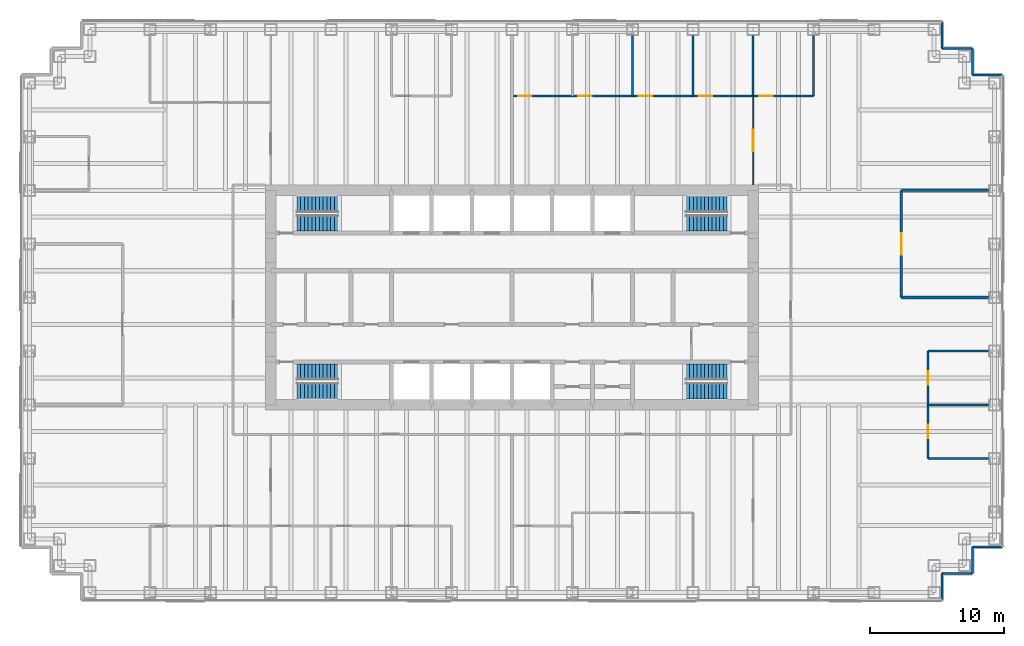
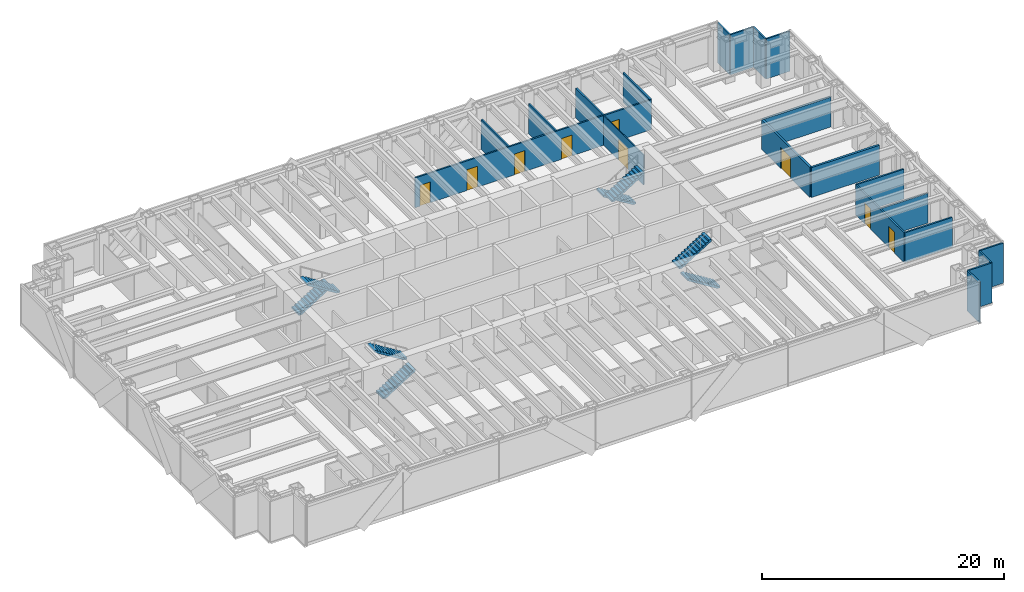
# One storey, part 14 of 15: 21 walls, 9 doors, 8 stair flights, 9 openings, 4 elements without a shape of their own.
"""IFC4 building model written with IfcOpenShell, lengths in metres."""

import ifcopenshell
import ifcopenshell.guid

model = None  # the IFC model being written
_history = None  # IfcOwnerHistory: only IFC2X3 demands one
_inside = {}  # id of a spatial element -> (the spatial element, [elements in it])
_under = {}  # id of a project, library or spatial element -> (it, [spatial elements below it])
_declared = {}  # id of a project -> (the project, [libraries it declares])
_typed = {}  # id of a type object -> (the type object, [elements of that type])
_made_of = {}  # id of a material, layer set ... -> (it, [elements and type objects made of it])


def new_model(schema):
    """Start an empty IFC model of exactly this schema.

    Asked for "IFC4X3", IfcOpenShell would pick the latest addendum, in which some entities
    have other attributes; the version numbers below select the first issue.
    IFC2X3 requires an IfcOwnerHistory on every rooted entity: one is made here for all.
    """
    global model, _history
    if schema == "IFC4X3":
        model = ifcopenshell.file(schema_version=(4, 3, 0, 0))
    else:
        model = ifcopenshell.file(schema=schema)
    _inside.clear()
    _under.clear()
    _declared.clear()
    _typed.clear()
    _made_of.clear()
    _history = None
    if model.schema == "IFC2X3":
        org = make("IfcOrganization", Name="unknown")
        user = make(
            "IfcPersonAndOrganization",
            ThePerson=make("IfcPerson", FamilyName="unknown"),
            TheOrganization=org,
        )
        app = make(
            "IfcApplication",
            ApplicationDeveloper=org,
            Version="unknown",
            ApplicationFullName="unknown",
            ApplicationIdentifier="unknown",
        )
        _history = make(
            "IfcOwnerHistory",
            OwningUser=user,
            OwningApplication=app,
            ChangeAction="ADDED",
            CreationDate=0,
        )
    return model


def make(cls, **values):
    """One entity of the class cls with the attributes given. An attribute that is None is left unset."""
    return model.create_entity(
        cls, **{name: value for name, value in values.items() if value is not None}
    )


def rooted(cls, **values):
    """An entity with a GlobalId (a new one), such as an element, a storey or a relation."""
    return make(cls, GlobalId=ifcopenshell.guid.new(), OwnerHistory=_history, **values)


def si_unit(unit_type, name, prefix=None):
    """IfcSIUnit, for example si_unit("LENGTHUNIT", "METRE", prefix="MILLI")."""
    return make("IfcSIUnit", UnitType=unit_type, Prefix=prefix, Name=name)


def assignment(units):
    """IfcUnitAssignment: the units of a project."""
    return None if units is None else make("IfcUnitAssignment", Units=units)


def point(xyz):
    """IfcCartesianPoint."""
    return None if xyz is None else make("IfcCartesianPoint", Coordinates=xyz)


def direction(xyz):
    """IfcDirection."""
    return None if xyz is None else make("IfcDirection", DirectionRatios=xyz)


def frame(location, z_axis=None, x_axis=None):
    """IfcAxis2Placement3D, a coordinate frame: its origin and axes. An axis left out is left unset."""
    return make(
        "IfcAxis2Placement3D",
        Location=point(location),
        Axis=direction(z_axis),
        RefDirection=direction(x_axis),
    )


def frame_2d(location, x_axis=None):
    """IfcAxis2Placement2D, a coordinate frame in the plane: its origin and x axis."""
    return make(
        "IfcAxis2Placement2D", Location=point(location), RefDirection=direction(x_axis)
    )


def origin():
    """The frame at (0, 0, 0) with its axes left unset."""
    return frame((0.0, 0.0, 0.0))


def place(relative_to, where):
    """IfcLocalPlacement: puts the frame where relative to a parent placement (None: the world)."""
    return make(
        "IfcLocalPlacement", PlacementRelTo=relative_to, RelativePlacement=where
    )


def context(
    kind, dimensions, precision=None, world=None, true_north=None, identifier=None
):
    """IfcGeometricRepresentationContext, for example the 3D "Model" context."""
    return make(
        "IfcGeometricRepresentationContext",
        ContextIdentifier=identifier,
        ContextType=kind,
        CoordinateSpaceDimension=dimensions,
        Precision=precision,
        WorldCoordinateSystem=world,
        TrueNorth=true_north,
    )


def subcontext(parent, identifier, kind, view, scale=None):
    """IfcGeometricRepresentationSubContext, for example "Body" below "Model"."""
    return make(
        "IfcGeometricRepresentationSubContext",
        ContextIdentifier=identifier,
        ContextType=kind,
        ParentContext=parent,
        TargetScale=scale,
        TargetView=view,
    )


def project(units=None, contexts=None):
    """IfcProject with its units and contexts."""
    return rooted(
        "IfcProject",
        Name="project",
        RepresentationContexts=contexts,
        UnitsInContext=assignment(units),
    )


def spatial(cls, under=None, at=None, **own):
    """A site, building, storey or space (cls), placed at a placement, below another one or the project."""
    s = rooted(cls, ObjectPlacement=at, **own)
    if under is not None:
        _under.setdefault(under.id(), (under, []))[1].append(s)
    return s


def polyline(points):
    """IfcPolyline through the points."""
    return make("IfcPolyline", Points=[point(p) for p in points])


def profile(cls, at=None, kind="AREA", **sizes):
    """A parametric profile (cls). Its sizes go by their IFC names, for example OverallWidth=200.0."""
    return make(cls, ProfileType=kind, Position=at, **sizes)


def rectangle(**sizes):
    """IfcRectangleProfileDef."""
    return profile("IfcRectangleProfileDef", **sizes)


def outline(outer, holes=None, kind="AREA"):
    """IfcArbitraryClosedProfileDef: a profile drawn as a closed curve; with holes, ...WithVoids."""
    if holes is None:
        return make("IfcArbitraryClosedProfileDef", ProfileType=kind, OuterCurve=outer)
    return make(
        "IfcArbitraryProfileDefWithVoids",
        ProfileType=kind,
        OuterCurve=outer,
        InnerCurves=holes,
    )


def extrude(swept, where, along, depth):
    """IfcExtrudedAreaSolid: the profile swept, set in the frame where, extruded along a direction by depth."""
    return make(
        "IfcExtrudedAreaSolid",
        SweptArea=swept,
        Position=where,
        ExtrudedDirection=direction(along),
        Depth=depth,
    )


def shape(context_of_items, identifier, shape_type, items):
    """IfcShapeRepresentation: the items that make up one representation, for example the "Body"."""
    return make(
        "IfcShapeRepresentation",
        ContextOfItems=context_of_items,
        RepresentationIdentifier=identifier,
        RepresentationType=shape_type,
        Items=items,
    )


def material(Name=None, Category=None):
    """IfcMaterial."""
    return make("IfcMaterial", Name=Name, Category=Category)


def layer(
    of_material, thickness, ventilated=None, Name=None, Category=None, Priority=None
):
    """IfcMaterialLayer: one layer of a wall or slab, of a material (None: an air gap)."""
    return make(
        "IfcMaterialLayer",
        Material=of_material,
        LayerThickness=thickness,
        IsVentilated=ventilated,
        Name=Name,
        Category=Category,
        Priority=Priority,
    )


def layer_set(layers, Name=None):
    """IfcMaterialLayerSet."""
    return make("IfcMaterialLayerSet", MaterialLayers=layers, LayerSetName=Name)


def made_of(thing, what):
    """Note that an element or type object is made of a material, layer set ...; save() writes the relation."""
    if what is not None:
        _made_of.setdefault(what.id(), (what, []))[1].append(thing)
    return thing


def type_object(cls, material=None, **own):
    """A type object (cls), such as IfcWallType, which elements share."""
    return made_of(rooted(cls, **own), material)


def element(
    cls,
    number,
    at=None,
    inside=None,
    cuts=None,
    type_object=None,
    material=None,
    context=None,
    identifier="Body",
    shape_type=None,
    held_by="IfcProductDefinitionShape",
    body=None,
    shapes=None,
    **own,
):
    """One element of the class cls, such as IfcWall. Its Tag is "e" and its number.

    at: its placement. inside: the storey or other place that contains it. cuts: it is an
    opening in that element (IfcRelVoidsElement). A single representation is given by context,
    identifier, shape_type and body (its items); several are given by shapes. held_by: the class
    of the entity that holds the representations. save() writes the other relations.
    """
    e = rooted(cls, Tag="e%d" % number, ObjectPlacement=at, **own)
    if body is not None:
        shapes = [shape(context, identifier, shape_type, body)]
    if shapes is not None:
        e.Representation = make(held_by, Representations=shapes)
    if inside is not None:
        _inside.setdefault(inside.id(), (inside, []))[1].append(e)
    if cuts is not None:
        rooted(
            "IfcRelVoidsElement", RelatingBuildingElement=cuts, RelatedOpeningElement=e
        )
    if type_object is not None:
        _typed.setdefault(type_object.id(), (type_object, []))[1].append(e)
    return made_of(e, material)


def fill(opening, filler):
    """IfcRelFillsElement: the door or window that sits in an opening."""
    return rooted(
        "IfcRelFillsElement",
        RelatingOpeningElement=opening,
        RelatedBuildingElement=filler,
    )


def aggregate(whole, parts):
    """IfcRelAggregates: a whole, such as a stair, and the parts it consists of."""
    return rooted("IfcRelAggregates", RelatingObject=whole, RelatedObjects=parts)


def save(model, path):
    """Write the relations noted so far, then the file.

    IfcRelAggregates (storeys below a building ...), IfcRelContainedInSpatialStructure (elements
    in a storey), IfcRelDefinesByType, IfcRelAssociatesMaterial and IfcRelDeclares: one each for
    every whole, place, type object, material and project.
    """
    for whole, parts in _under.values():
        aggregate(whole, parts)
    for where, things in _inside.values():
        rooted(
            "IfcRelContainedInSpatialStructure",
            RelatedElements=things,
            RelatingStructure=where,
        )
    for kind, things in _typed.values():
        rooted("IfcRelDefinesByType", RelatedObjects=things, RelatingType=kind)
    for what, things in _made_of.values():
        rooted("IfcRelAssociatesMaterial", RelatedObjects=things, RelatingMaterial=what)
    for by, libraries in _declared.values():
        rooted("IfcRelDeclares", RelatingContext=by, RelatedDefinitions=libraries)
    model.write(path)


model = new_model("IFC4")

# Units and contexts
model_context = context("Model", 3, precision=1e-05, world=origin(), true_north=direction((0.0, 1.0)))
body_context = subcontext(model_context, "Body", "Model", "MODEL_VIEW")
ifc_project = project(units=[si_unit("LENGTHUNIT", "METRE"), si_unit("AREAUNIT", "SQUARE_METRE"), si_unit("VOLUMEUNIT", "CUBIC_METRE"), si_unit("PLANEANGLEUNIT", "RADIAN"), si_unit("MASSUNIT", "GRAM", prefix="KILO")], contexts=[model_context])

# Site, building, storey
site_placement = place(None, origin())
site = spatial("IfcSite", under=ifc_project, at=site_placement, CompositionType="ELEMENT")
building_placement = place(site_placement, origin())
building = spatial("IfcBuilding", under=site, at=building_placement, Name="Rheinbord Bourse Tower", CompositionType="ELEMENT")
storey_placement = place(building_placement, frame((0.0, 0.0, 248.800048828125)))
storey = spatial("IfcBuildingStorey", under=building, at=storey_placement, Name="L56", CompositionType="ELEMENT", Elevation=248.800048828125)

# Walls
ifc_material_1 = material(Name="Acoustic gypsum board partition", Category="gypsum board")
ifc_layer_1 = layer(ifc_material_1, 0.199951171875)
ifc_layer_set_1 = layer_set([ifc_layer_1], Name="ACOUSTIC PARTITION 200")
wall_type_1 = type_object("IfcWallType", Name="ACOUSTIC PARTITION 200", PredefinedType="PARTITIONING", material=ifc_layer_set_1)
for number, where, z_axis, x_axis, name in (
    (1, (65.050048828125, 24.0, 0.0), (0.0, 0.0, 1.0), (1.0, 0.0, 0.0), "Partition L56-09"),
    (2, (65.050048828125, 32.0, 0.0), (0.0, 0.0, 1.0), (1.0, 0.0, 0.0), "Partition L56-12"),
):
    element("IfcWall", number, at=place(storey_placement, frame(where, z_axis=z_axis, x_axis=x_axis)), inside=storey, type_object=wall_type_1, Name=name, PredefinedType="PARTITIONING", context=body_context, shape_type="SweptSolid", body=[
        extrude(rectangle(XDim=6.5, YDim=0.199951171875, at=frame_2d((3.25, 0.0))), origin(), (0.0, 0.0, 1.0), 3.0),
    ])

# Wall, opening, door
wall_1_placement = place(storey_placement, frame((65.050048828125, 24.0, 0.0), z_axis=(0.0, 0.0, 1.0), x_axis=(0.0, 1.0, 0.0)))
wall_1 = element("IfcWall", 3, at=wall_1_placement, inside=storey, type_object=wall_type_1, Name="Partition L56-46", PredefinedType="PARTITIONING", context=body_context, shape_type="SweptSolid", body=[
    extrude(rectangle(XDim=8.0, YDim=0.199951171875, at=frame_2d((4.0, 0.0))), origin(), (0.0, 0.0, 1.0), 3.0),
])
opening_1_placement = place(wall_1_placement, frame((3.199951171875, 0.0, 0.0)))
opening_1 = element("IfcOpeningElement", 4, at=opening_1_placement, cuts=wall_1, Name="Opening 56D11", PredefinedType="OPENING", context=body_context, shape_type="SweptSolid", body=[
    extrude(rectangle(XDim=1.60009765625, YDim=2.10009765625, at=frame_2d((0.800048828125, 1.050048828125))), frame((0.0, 0.10986328125, 0.0), z_axis=(0.0, -1.0, 0.0), x_axis=(1.0, 0.0, 0.0)), (0.0, 0.0, 1.0), 0.219970703125),
])
ifc_material_2 = material(Name="Timber door", Category="wood")
door_type_1 = type_object("IfcDoorType", Name="DOUBLE ROOM DOOR 1600", OperationType="DOUBLE_DOOR_DOUBLE_SWING", PredefinedType="DOOR", material=ifc_material_2)
door_1_placement = place(opening_1_placement, origin())
door_1 = element("IfcDoor", 5, at=door_1_placement, inside=storey, type_object=door_type_1, Name="Board room door L56", OperationType="SINGLE_SWING_LEFT", OverallHeight=2.10009765625, OverallWidth=1.60009765625, PredefinedType="DOOR", context=body_context, shape_type="SweptSolid", body=[
    extrude(rectangle(XDim=1.60009765625, YDim=2.10009765625, at=frame_2d((0.800048828125, 1.050048828125))), frame((0.0, 0.02490234375, 0.0), z_axis=(0.0, -1.0, 0.0), x_axis=(1.0, 0.0, 0.0)), (0.0, 0.0, 1.0), 0.050048828125),
])
fill(opening_1, door_1)

# Walls
ifc_material_3 = material(Name="Black metal rainscreen panel", Category="aluminium")
ifc_layer_2 = layer(ifc_material_3, 0.14990234375)
ifc_layer_set_2 = layer_set([ifc_layer_2], Name="CORNER PIER CLADDING 150")
wall_type_2 = type_object("IfcWallType", Name="CORNER PIER CLADDING 150", PredefinedType="ELEMENTEDWALL", material=ifc_layer_set_2)
wall_2_placement = place(storey_placement, frame((68.10009765625, 1.39990234375, 0.0), z_axis=(0.0, 0.0, 1.0), x_axis=(0.0, 1.0, 0.0)))
element("IfcWall", 6, at=wall_2_placement, inside=storey, type_object=wall_type_2, Name="Corner pier cladding L56 2", PredefinedType="ELEMENTEDWALL", context=body_context, shape_type="SweptSolid", body=[
    extrude(rectangle(XDim=2.0, YDim=0.14990234375, at=frame_2d((1.0, 0.0))), origin(), (0.0, 0.0, 1.0), 4.0400390625),
])
wall_3_placement = place(storey_placement, frame((68.10009765625, 3.39990234375, 0.0), z_axis=(0.0, 0.0, 1.0), x_axis=(1.0, 0.0, 0.0)))
element("IfcWall", 7, at=wall_3_placement, inside=storey, type_object=wall_type_2, Name="Corner pier cladding L56 3", PredefinedType="ELEMENTEDWALL", context=body_context, shape_type="SweptSolid", body=[
    extrude(rectangle(XDim=2.25, YDim=0.14990234375, at=frame_2d((1.125, 0.0))), origin(), (0.0, 0.0, 1.0), 4.0400390625),
])
wall_4_placement = place(storey_placement, frame((70.35009765625, 3.39990234375, 0.0), z_axis=(0.0, 0.0, 1.0), x_axis=(0.0, 1.0, 0.0)))
element("IfcWall", 8, at=wall_4_placement, inside=storey, type_object=wall_type_2, Name="Corner pier cladding L56 4", PredefinedType="ELEMENTEDWALL", context=body_context, shape_type="SweptSolid", body=[
    extrude(rectangle(XDim=2.0, YDim=0.14990234375, at=frame_2d((1.0, 0.0))), origin(), (0.0, 0.0, 1.0), 4.0400390625),
])
for number, where, z_axis, x_axis, name in (
    (9, (70.35009765625, 5.39990234375, 0.0), (0.0, 0.0, 1.0), (1.0, 0.0, 0.0), "Corner pier cladding L56 5"),
    (10, (72.60009765625, 40.60009765625, 0.0), (0.0, 0.0, 1.0), (-1.0, 0.0, 0.0), "Corner pier cladding L56 7"),
):
    element("IfcWall", number, at=place(storey_placement, frame(where, z_axis=z_axis, x_axis=x_axis)), inside=storey, type_object=wall_type_2, Name=name, PredefinedType="ELEMENTEDWALL", context=body_context, shape_type="SweptSolid", body=[
        extrude(rectangle(XDim=2.25, YDim=0.14990234375, at=frame_2d((1.125, 0.0))), origin(), (0.0, 0.0, 1.0), 4.0400390625),
    ])
wall_5_placement = place(storey_placement, frame((70.35009765625, 40.60009765625, 0.0), z_axis=(0.0, 0.0, 1.0), x_axis=(0.0, 1.0, 0.0)))
element("IfcWall", 11, at=wall_5_placement, inside=storey, type_object=wall_type_2, Name="Corner pier cladding L56 8", PredefinedType="ELEMENTEDWALL", context=body_context, shape_type="SweptSolid", body=[
    extrude(rectangle(XDim=2.0, YDim=0.14990234375, at=frame_2d((1.0, 0.0))), origin(), (0.0, 0.0, 1.0), 4.0400390625),
])
wall_6_placement = place(storey_placement, frame((70.35009765625, 42.60009765625, 0.0), z_axis=(0.0, 0.0, 1.0), x_axis=(-1.0, 0.0, 0.0)))
element("IfcWall", 12, at=wall_6_placement, inside=storey, type_object=wall_type_2, Name="Corner pier cladding L56 9", PredefinedType="ELEMENTEDWALL", context=body_context, shape_type="SweptSolid", body=[
    extrude(rectangle(XDim=2.25, YDim=0.14990234375, at=frame_2d((1.125, 0.0))), origin(), (0.0, 0.0, 1.0), 4.0400390625),
])
wall_7_placement = place(storey_placement, frame((68.10009765625, 42.60009765625, 0.0), z_axis=(0.0, 0.0, 1.0), x_axis=(0.0, 1.0, 0.0)))
element("IfcWall", 13, at=wall_7_placement, inside=storey, type_object=wall_type_2, Name="Corner pier cladding L56 10", PredefinedType="ELEMENTEDWALL", context=body_context, shape_type="SweptSolid", body=[
    extrude(rectangle(XDim=2.0, YDim=0.14990234375, at=frame_2d((1.0, 0.0))), origin(), (0.0, 0.0, 1.0), 4.0400390625),
])

# Wall, opening, door
ifc_material_4 = material(Name="Toughened laminated glass partition", Category="glass")
ifc_layer_3 = layer(ifc_material_4, 0.10009765625)
ifc_layer_set_3 = layer_set([ifc_layer_3], Name="GLAZED PARTITION 100")
wall_type_3 = type_object("IfcWallType", Name="GLAZED PARTITION 100", PredefinedType="PARTITIONING", material=ifc_layer_set_3)
wall_8_placement = place(storey_placement, frame((54.0, 32.39990234375, 0.0), z_axis=(0.0, 0.0, 1.0), x_axis=(0.0, 1.0, 0.0)))
wall_8 = element("IfcWall", 14, at=wall_8_placement, inside=storey, type_object=wall_type_3, Name="Partition L56-42", PredefinedType="PARTITIONING", context=body_context, shape_type="SweptSolid", body=[
    extrude(rectangle(XDim=6.650146484375, YDim=0.10009765625, at=frame_2d((3.3251953125, 0.0))), origin(), (0.0, 0.0, 1.0), 3.0),
])
opening_2_placement = place(wall_8_placement, frame((2.52490234375, 0.0, 0.0)))
opening_2 = element("IfcOpeningElement", 15, at=opening_2_placement, cuts=wall_8, Name="Opening 56D23", PredefinedType="OPENING", context=body_context, shape_type="SweptSolid", body=[
    extrude(rectangle(XDim=1.60009765625, YDim=2.10009765625, at=frame_2d((0.800048828125, 1.050048828125))), frame((0.0, 0.06005859375, 0.0), z_axis=(0.0, -1.0, 0.0), x_axis=(1.0, 0.0, 0.0)), (0.0, 0.0, 1.0), 0.1201171875),
])
door_2_placement = place(opening_2_placement, origin())
door_2 = element("IfcDoor", 16, at=door_2_placement, inside=storey, type_object=door_type_1, Name="Open area door L56", OperationType="SINGLE_SWING_LEFT", OverallHeight=2.10009765625, OverallWidth=1.60009765625, PredefinedType="DOOR", context=body_context, shape_type="SweptSolid", body=[
    extrude(rectangle(XDim=1.60009765625, YDim=2.10009765625, at=frame_2d((0.800048828125, 1.050048828125))), frame((0.0, 0.02490234375, 0.0), z_axis=(0.0, -1.0, 0.0), x_axis=(1.0, 0.0, 0.0)), (0.0, 0.0, 1.0), 0.050048828125),
])
fill(opening_2, door_2)

# Walls
ifc_material_5 = material(Name="Gypsum board partition", Category="gypsum board")
ifc_layer_4 = layer(ifc_material_5, 0.14990234375)
ifc_layer_set_4 = layer_set([ifc_layer_4], Name="PARTITION 150")
wall_type_4 = type_object("IfcWallType", Name="PARTITION 150", PredefinedType="PARTITIONING", material=ifc_layer_set_4)
for number, where, z_axis, x_axis, name in (
    (17, (67.050048828125, 12.0, 0.0), (0.0, 0.0, 1.0), (1.0, 0.0, 0.0), "Partition L56-04"),
    (18, (67.050048828125, 16.0, 0.0), (0.0, 0.0, 1.0), (1.0, 0.0, 0.0), "Partition L56-07"),
    (19, (67.050048828125, 20.0, 0.0), (0.0, 0.0, 1.0), (1.0, 0.0, 0.0), "Partition L56-08"),
):
    element("IfcWall", number, at=place(storey_placement, frame(where, z_axis=z_axis, x_axis=x_axis)), inside=storey, type_object=wall_type_4, Name=name, PredefinedType="PARTITIONING", context=body_context, shape_type="SweptSolid", body=[
        extrude(rectangle(XDim=4.5, YDim=0.14990234375, at=frame_2d((2.25, 0.0))), origin(), (0.0, 0.0, 1.0), 3.0),
    ])

# Wall, openings, doors
wall_9_placement = place(storey_placement, frame((36.0, 39.050048828125, 0.0), z_axis=(0.0, 0.0, 1.0), x_axis=(1.0, 0.0, 0.0)))
wall_9 = element("IfcWall", 20, at=wall_9_placement, inside=storey, type_object=wall_type_4, Name="Partition L56-18", PredefinedType="PARTITIONING", context=body_context, shape_type="SweptSolid", body=[
    extrude(rectangle(XDim=22.5, YDim=0.14990234375, at=frame_2d((11.25, 0.0))), origin(), (0.0, 0.0, 1.0), 3.0),
])
opening_3_placement = place(wall_9_placement, frame((0.449951171875, 0.0, 0.0)))
opening_3 = element("IfcOpeningElement", 21, at=opening_3_placement, cuts=wall_9, Name="Opening 56D15", PredefinedType="OPENING", context=body_context, shape_type="SweptSolid", body=[
    extrude(rectangle(XDim=1.0, YDim=2.10009765625, at=frame_2d((0.5, 1.050048828125))), frame((0.0, 0.0849609375, 0.0), z_axis=(0.0, -1.0, 0.0), x_axis=(1.0, 0.0, 0.0)), (0.0, 0.0, 1.0), 0.169921875),
])
opening_4_placement = place(wall_9_placement, frame((4.949951171875, 0.0, 0.0)))
opening_4 = element("IfcOpeningElement", 22, at=opening_4_placement, cuts=wall_9, Name="Opening 56D16", PredefinedType="OPENING", context=body_context, shape_type="SweptSolid", body=[
    extrude(rectangle(XDim=1.0, YDim=2.10009765625, at=frame_2d((0.5, 1.050048828125))), frame((0.0, 0.0849609375, 0.0), z_axis=(0.0, -1.0, 0.0), x_axis=(1.0, 0.0, 0.0)), (0.0, 0.0, 1.0), 0.169921875),
])
opening_5_placement = place(wall_9_placement, frame((9.449951171875, 0.0, 0.0)))
opening_5 = element("IfcOpeningElement", 23, at=opening_5_placement, cuts=wall_9, Name="Opening 56D17", PredefinedType="OPENING", context=body_context, shape_type="SweptSolid", body=[
    extrude(rectangle(XDim=1.0, YDim=2.10009765625, at=frame_2d((0.5, 1.050048828125))), frame((0.0, 0.0849609375, 0.0), z_axis=(0.0, -1.0, 0.0), x_axis=(1.0, 0.0, 0.0)), (0.0, 0.0, 1.0), 0.169921875),
])
opening_6_placement = place(wall_9_placement, frame((13.949951171875, 0.0, 0.0)))
opening_6 = element("IfcOpeningElement", 24, at=opening_6_placement, cuts=wall_9, Name="Opening 56D18", PredefinedType="OPENING", context=body_context, shape_type="SweptSolid", body=[
    extrude(rectangle(XDim=1.0, YDim=2.10009765625, at=frame_2d((0.5, 1.050048828125))), frame((0.0, 0.0849609375, 0.0), z_axis=(0.0, -1.0, 0.0), x_axis=(1.0, 0.0, 0.0)), (0.0, 0.0, 1.0), 0.169921875),
])
opening_7_placement = place(wall_9_placement, frame((18.449951171875, 0.0, 0.0)))
opening_7 = element("IfcOpeningElement", 25, at=opening_7_placement, cuts=wall_9, Name="Opening 56D19", PredefinedType="OPENING", context=body_context, shape_type="SweptSolid", body=[
    extrude(rectangle(XDim=1.0, YDim=2.10009765625, at=frame_2d((0.5, 1.050048828125))), frame((0.0, 0.0849609375, 0.0), z_axis=(0.0, -1.0, 0.0), x_axis=(1.0, 0.0, 0.0)), (0.0, 0.0, 1.0), 0.169921875),
])
ifc_material_6 = material(Name="Timber door", Category="wood")
door_type_2 = type_object("IfcDoorType", Name="ROOM DOOR 1000", OperationType="SINGLE_SWING_LEFT", PredefinedType="DOOR", material=ifc_material_6)
door_3_placement = place(opening_3_placement, origin())
door_3 = element("IfcDoor", 26, at=door_3_placement, inside=storey, type_object=door_type_2, Name="Office door L56", OperationType="SINGLE_SWING_LEFT", OverallHeight=2.10009765625, OverallWidth=1.0, PredefinedType="DOOR", context=body_context, shape_type="SweptSolid", body=[
    extrude(rectangle(XDim=1.0, YDim=2.10009765625, at=frame_2d((0.5, 1.050048828125))), frame((0.0, 0.02490234375, 0.0), z_axis=(0.0, -1.0, 0.0), x_axis=(1.0, 0.0, 0.0)), (0.0, 0.0, 1.0), 0.050048828125),
])
fill(opening_3, door_3)
door_4_placement = place(opening_4_placement, origin())
door_4 = element("IfcDoor", 27, at=door_4_placement, inside=storey, type_object=door_type_2, Name="Office door L56", OperationType="SINGLE_SWING_LEFT", OverallHeight=2.10009765625, OverallWidth=1.0, PredefinedType="DOOR", context=body_context, shape_type="SweptSolid", body=[
    extrude(rectangle(XDim=1.0, YDim=2.10009765625, at=frame_2d((0.5, 1.050048828125))), frame((0.0, 0.02490234375, 0.0), z_axis=(0.0, -1.0, 0.0), x_axis=(1.0, 0.0, 0.0)), (0.0, 0.0, 1.0), 0.050048828125),
])
fill(opening_4, door_4)
door_5_placement = place(opening_5_placement, origin())
door_5 = element("IfcDoor", 28, at=door_5_placement, inside=storey, type_object=door_type_2, Name="Office door L56", OperationType="SINGLE_SWING_LEFT", OverallHeight=2.10009765625, OverallWidth=1.0, PredefinedType="DOOR", context=body_context, shape_type="SweptSolid", body=[
    extrude(rectangle(XDim=1.0, YDim=2.10009765625, at=frame_2d((0.5, 1.050048828125))), frame((0.0, 0.02490234375, 0.0), z_axis=(0.0, -1.0, 0.0), x_axis=(1.0, 0.0, 0.0)), (0.0, 0.0, 1.0), 0.050048828125),
])
fill(opening_5, door_5)
door_6_placement = place(opening_6_placement, origin())
door_6 = element("IfcDoor", 29, at=door_6_placement, inside=storey, type_object=door_type_2, Name="Office door L56", OperationType="SINGLE_SWING_RIGHT", OverallHeight=2.10009765625, OverallWidth=1.0, PredefinedType="DOOR", context=body_context, shape_type="SweptSolid", body=[
    extrude(rectangle(XDim=1.0, YDim=2.10009765625, at=frame_2d((0.5, 1.050048828125))), frame((0.0, 0.02490234375, 0.0), z_axis=(0.0, -1.0, 0.0), x_axis=(1.0, 0.0, 0.0)), (0.0, 0.0, 1.0), 0.050048828125),
])
fill(opening_6, door_6)
door_7_placement = place(opening_7_placement, origin())
door_7 = element("IfcDoor", 30, at=door_7_placement, inside=storey, type_object=door_type_2, Name="Office door L56", OperationType="SINGLE_SWING_RIGHT", OverallHeight=2.10009765625, OverallWidth=1.0, PredefinedType="DOOR", context=body_context, shape_type="SweptSolid", body=[
    extrude(rectangle(XDim=1.0, YDim=2.10009765625, at=frame_2d((0.5, 1.050048828125))), frame((0.0, 0.02490234375, 0.0), z_axis=(0.0, -1.0, 0.0), x_axis=(1.0, 0.0, 0.0)), (0.0, 0.0, 1.0), 0.050048828125),
])
fill(opening_7, door_7)

# Walls
for number, where, z_axis, x_axis, name in (
    (31, (45.0, 39.050048828125, 0.0), (0.0, 0.0, 1.0), (0.0, 1.0, 0.0), "Partition L56-38"),
    (32, (49.5, 39.050048828125, 0.0), (0.0, 0.0, 1.0), (0.0, 1.0, 0.0), "Partition L56-40"),
    (33, (54.0, 39.050048828125, 0.0), (0.0, 0.0, 1.0), (0.0, 1.0, 0.0), "Partition L56-43"),
    (34, (58.5, 39.050048828125, 0.0), (0.0, 0.0, 1.0), (0.0, 1.0, 0.0), "Partition L56-45"),
):
    element("IfcWall", number, at=place(storey_placement, frame(where, z_axis=z_axis, x_axis=x_axis)), inside=storey, type_object=wall_type_4, Name=name, PredefinedType="PARTITIONING", context=body_context, shape_type="SweptSolid", body=[
        extrude(rectangle(XDim=4.5, YDim=0.14990234375, at=frame_2d((2.25, 0.0))), origin(), (0.0, 0.0, 1.0), 3.0),
    ])

# Wall, openings, doors
wall_10_placement = place(storey_placement, frame((67.050048828125, 12.0, 0.0), z_axis=(0.0, 0.0, 1.0), x_axis=(0.0, 1.0, 0.0)))
wall_10 = element("IfcWall", 35, at=wall_10_placement, inside=storey, type_object=wall_type_4, Name="Partition L56-47", PredefinedType="PARTITIONING", context=body_context, shape_type="SweptSolid", body=[
    extrude(rectangle(XDim=8.0, YDim=0.14990234375, at=frame_2d((4.0, 0.0))), origin(), (0.0, 0.0, 1.0), 3.0),
])
opening_8_placement = place(wall_10_placement, frame((1.5, 0.0, 0.0)))
opening_8 = element("IfcOpeningElement", 36, at=opening_8_placement, cuts=wall_10, Name="Opening 56D08", PredefinedType="OPENING", context=body_context, shape_type="SweptSolid", body=[
    extrude(rectangle(XDim=1.0, YDim=2.10009765625, at=frame_2d((0.5, 1.050048828125))), frame((0.0, 0.0849609375, 0.0), z_axis=(0.0, -1.0, 0.0), x_axis=(1.0, 0.0, 0.0)), (0.0, 0.0, 1.0), 0.169921875),
])
opening_9_placement = place(wall_10_placement, frame((5.5, 0.0, 0.0)))
opening_9 = element("IfcOpeningElement", 37, at=opening_9_placement, cuts=wall_10, Name="Opening 56D09", PredefinedType="OPENING", context=body_context, shape_type="SweptSolid", body=[
    extrude(rectangle(XDim=1.0, YDim=2.10009765625, at=frame_2d((0.5, 1.050048828125))), frame((0.0, 0.0849609375, 0.0), z_axis=(0.0, -1.0, 0.0), x_axis=(1.0, 0.0, 0.0)), (0.0, 0.0, 1.0), 0.169921875),
])
door_8_placement = place(opening_8_placement, origin())
door_8 = element("IfcDoor", 38, at=door_8_placement, inside=storey, type_object=door_type_2, Name="Office door L56", OperationType="SINGLE_SWING_LEFT", OverallHeight=2.10009765625, OverallWidth=1.0, PredefinedType="DOOR", context=body_context, shape_type="SweptSolid", body=[
    extrude(rectangle(XDim=1.0, YDim=2.10009765625, at=frame_2d((0.5, 1.050048828125))), frame((0.0, 0.02490234375, 0.0), z_axis=(0.0, -1.0, 0.0), x_axis=(1.0, 0.0, 0.0)), (0.0, 0.0, 1.0), 0.050048828125),
])
fill(opening_8, door_8)
door_9_placement = place(opening_9_placement, origin())
door_9 = element("IfcDoor", 39, at=door_9_placement, inside=storey, type_object=door_type_2, Name="Office door L56", OperationType="SINGLE_SWING_RIGHT", OverallHeight=2.10009765625, OverallWidth=1.0, PredefinedType="DOOR", context=body_context, shape_type="SweptSolid", body=[
    extrude(rectangle(XDim=1.0, YDim=2.10009765625, at=frame_2d((0.5, 1.050048828125))), frame((0.0, 0.02490234375, 0.0), z_axis=(0.0, -1.0, 0.0), x_axis=(1.0, 0.0, 0.0)), (0.0, 0.0, 1.0), 0.050048828125),
])
fill(opening_9, door_9)

# Stair, stair flights
ifc_material_7 = material(Name="Concrete C30/37", Category="concrete")
stair_type = type_object("IfcStairType", Name="CORE STAIR HALF TURN 4200", PredefinedType="HALF_TURN_STAIR", material=ifc_material_7)
stair_1_placement = place(storey_placement, origin())
stair_1 = element("IfcStair", 40, at=stair_1_placement, inside=storey, type_object=stair_type, Name="Stair ST1 L56, type CS6", PredefinedType="HALF_TURN_STAIR")
ifc_material_8 = material(Name="Concrete C30/37", Category="concrete")
stair_flight_type = type_object("IfcStairFlightType", Name="CORE STAIR FLIGHT 1200, 12 RISERS", PredefinedType="STRAIGHT", material=ifc_material_8)
stair_flight_1_placement = place(storey_placement, frame((19.949951171875, 17.050048828125, 0.0), z_axis=(0.0, 0.0, 1.0), x_axis=(1.0, 0.0, 0.0)))
stair_flight_1 = element("IfcStairFlight", 41, at=stair_flight_1_placement, type_object=stair_flight_type, Name="STAIR L56 ST1 F1", NumberOfRisers=12, NumberOfTreads=11, PredefinedType="STRAIGHT", RiserHeight=0.175, TreadLength=0.28, context=body_context, shape_type="SweptSolid", body=[
    extrude(outline(polyline([(0.0, 0.0), (0.0, 0.175048828125), (0.280029296875, 0.175048828125), (0.280029296875, 0.35009765625), (0.56005859375, 0.35009765625), (0.56005859375, 0.52490234375), (0.840087890625, 0.52490234375), (0.840087890625, 0.699951171875), (1.1201171875, 0.699951171875), (1.1201171875, 0.875), (1.39990234375, 0.875), (1.39990234375, 1.050048828125), (1.679931640625, 1.050048828125), (1.679931640625, 1.22509765625), (1.9599609375, 1.22509765625), (1.9599609375, 1.39990234375), (2.239990234375, 1.39990234375), (2.239990234375, 1.574951171875), (2.52001953125, 1.574951171875), (2.52001953125, 1.75), (2.800048828125, 1.75), (2.800048828125, 1.925048828125), (3.080078125, 1.925048828125), (3.080078125, 2.10009765625), (3.080078125, 1.748291015625), (0.28271484375, 0.0), (0.0, 0.0)])), frame((0.0, 0.60009765625, 0.0), z_axis=(0.0, -1.0, 0.0), x_axis=(1.0, 0.0, 0.0)), (0.0, 0.0, 1.0), 1.199951171875),
])
stair_flight_2_placement = place(storey_placement, frame((23.030029296875, 18.449951171875, 2.099853515625), z_axis=(0.0, 0.0, 1.0), x_axis=(-1.0, 0.0, 0.0)))
stair_flight_2 = element("IfcStairFlight", 42, at=stair_flight_2_placement, type_object=stair_flight_type, Name="STAIR L56 ST1 F2", NumberOfRisers=12, NumberOfTreads=11, PredefinedType="STRAIGHT", RiserHeight=0.175, TreadLength=0.28, context=body_context, shape_type="SweptSolid", body=[
    extrude(outline(polyline([(0.0, 0.0), (0.0, 0.175048828125), (0.280029296875, 0.175048828125), (0.280029296875, 0.35009765625), (0.56005859375, 0.35009765625), (0.56005859375, 0.52490234375), (0.840087890625, 0.52490234375), (0.840087890625, 0.699951171875), (1.1201171875, 0.699951171875), (1.1201171875, 0.875), (1.39990234375, 0.875), (1.39990234375, 1.050048828125), (1.679931640625, 1.050048828125), (1.679931640625, 1.22509765625), (1.9599609375, 1.22509765625), (1.9599609375, 1.39990234375), (2.239990234375, 1.39990234375), (2.239990234375, 1.574951171875), (2.52001953125, 1.574951171875), (2.52001953125, 1.75), (2.800048828125, 1.75), (2.800048828125, 1.925048828125), (3.080078125, 1.925048828125), (3.080078125, 2.10009765625), (3.080078125, 1.748291015625), (0.28271484375, 0.0), (0.0, 0.0)])), frame((0.0, 0.60009765625, 0.0), z_axis=(0.0, -1.0, 0.0), x_axis=(1.0, 0.0, 0.0)), (0.0, 0.0, 1.0), 1.199951171875),
])
aggregate(stair_1, [stair_flight_1, stair_flight_2])

stair_2_placement = place(storey_placement, origin())
stair_2 = element("IfcStair", 43, at=stair_2_placement, inside=storey, type_object=stair_type, Name="Stair ST2 L56, type CS6", PredefinedType="HALF_TURN_STAIR")
stair_flight_3_placement = place(storey_placement, frame((19.949951171875, 30.949951171875, 0.0), z_axis=(0.0, 0.0, 1.0), x_axis=(1.0, 0.0, 0.0)))
stair_flight_3 = element("IfcStairFlight", 44, at=stair_flight_3_placement, type_object=stair_flight_type, Name="STAIR L56 ST2 F1", NumberOfRisers=12, NumberOfTreads=11, PredefinedType="STRAIGHT", RiserHeight=0.175, TreadLength=0.28, context=body_context, shape_type="SweptSolid", body=[
    extrude(outline(polyline([(0.0, 0.0), (0.0, 0.175048828125), (0.280029296875, 0.175048828125), (0.280029296875, 0.35009765625), (0.56005859375, 0.35009765625), (0.56005859375, 0.52490234375), (0.840087890625, 0.52490234375), (0.840087890625, 0.699951171875), (1.1201171875, 0.699951171875), (1.1201171875, 0.875), (1.39990234375, 0.875), (1.39990234375, 1.050048828125), (1.679931640625, 1.050048828125), (1.679931640625, 1.22509765625), (1.9599609375, 1.22509765625), (1.9599609375, 1.39990234375), (2.239990234375, 1.39990234375), (2.239990234375, 1.574951171875), (2.52001953125, 1.574951171875), (2.52001953125, 1.75), (2.800048828125, 1.75), (2.800048828125, 1.925048828125), (3.080078125, 1.925048828125), (3.080078125, 2.10009765625), (3.080078125, 1.748291015625), (0.28271484375, 0.0), (0.0, 0.0)])), frame((0.0, 0.60009765625, 0.0), z_axis=(0.0, -1.0, 0.0), x_axis=(1.0, 0.0, 0.0)), (0.0, 0.0, 1.0), 1.199951171875),
])
stair_flight_4_placement = place(storey_placement, frame((23.030029296875, 29.550048828125, 2.099853515625), z_axis=(0.0, 0.0, 1.0), x_axis=(-1.0, 0.0, 0.0)))
stair_flight_4 = element("IfcStairFlight", 45, at=stair_flight_4_placement, type_object=stair_flight_type, Name="STAIR L56 ST2 F2", NumberOfRisers=12, NumberOfTreads=11, PredefinedType="STRAIGHT", RiserHeight=0.175, TreadLength=0.28, context=body_context, shape_type="SweptSolid", body=[
    extrude(outline(polyline([(0.0, 0.0), (0.0, 0.175048828125), (0.280029296875, 0.175048828125), (0.280029296875, 0.35009765625), (0.56005859375, 0.35009765625), (0.56005859375, 0.52490234375), (0.840087890625, 0.52490234375), (0.840087890625, 0.699951171875), (1.1201171875, 0.699951171875), (1.1201171875, 0.875), (1.39990234375, 0.875), (1.39990234375, 1.050048828125), (1.679931640625, 1.050048828125), (1.679931640625, 1.22509765625), (1.9599609375, 1.22509765625), (1.9599609375, 1.39990234375), (2.239990234375, 1.39990234375), (2.239990234375, 1.574951171875), (2.52001953125, 1.574951171875), (2.52001953125, 1.75), (2.800048828125, 1.75), (2.800048828125, 1.925048828125), (3.080078125, 1.925048828125), (3.080078125, 2.10009765625), (3.080078125, 1.748291015625), (0.28271484375, 0.0), (0.0, 0.0)])), frame((0.0, 0.60009765625, 0.0), z_axis=(0.0, -1.0, 0.0), x_axis=(1.0, 0.0, 0.0)), (0.0, 0.0, 1.0), 1.199951171875),
])
aggregate(stair_2, [stair_flight_3, stair_flight_4])

stair_3_placement = place(storey_placement, origin())
stair_3 = element("IfcStair", 46, at=stair_3_placement, inside=storey, type_object=stair_type, Name="Stair ST3 L56, type CS6", PredefinedType="HALF_TURN_STAIR")
stair_flight_5_placement = place(storey_placement, frame((52.050048828125, 17.050048828125, 0.0), z_axis=(0.0, 0.0, 1.0), x_axis=(-1.0, 0.0, 0.0)))
stair_flight_5 = element("IfcStairFlight", 47, at=stair_flight_5_placement, type_object=stair_flight_type, Name="STAIR L56 ST3 F1", NumberOfRisers=12, NumberOfTreads=11, PredefinedType="STRAIGHT", RiserHeight=0.175, TreadLength=0.28, context=body_context, shape_type="SweptSolid", body=[
    extrude(outline(polyline([(0.0, 0.0), (0.0, 0.175048828125), (0.280029296875, 0.175048828125), (0.280029296875, 0.35009765625), (0.56005859375, 0.35009765625), (0.56005859375, 0.52490234375), (0.840087890625, 0.52490234375), (0.840087890625, 0.699951171875), (1.1201171875, 0.699951171875), (1.1201171875, 0.875), (1.39990234375, 0.875), (1.39990234375, 1.050048828125), (1.679931640625, 1.050048828125), (1.679931640625, 1.22509765625), (1.9599609375, 1.22509765625), (1.9599609375, 1.39990234375), (2.239990234375, 1.39990234375), (2.239990234375, 1.574951171875), (2.52001953125, 1.574951171875), (2.52001953125, 1.75), (2.800048828125, 1.75), (2.800048828125, 1.925048828125), (3.080078125, 1.925048828125), (3.080078125, 2.10009765625), (3.080078125, 1.748291015625), (0.28271484375, 0.0), (0.0, 0.0)])), frame((0.0, 0.60009765625, 0.0), z_axis=(0.0, -1.0, 0.0), x_axis=(1.0, 0.0, 0.0)), (0.0, 0.0, 1.0), 1.199951171875),
])
stair_flight_6_placement = place(storey_placement, frame((48.969970703125, 18.449951171875, 2.099853515625), z_axis=(0.0, 0.0, 1.0), x_axis=(1.0, 0.0, 0.0)))
stair_flight_6 = element("IfcStairFlight", 48, at=stair_flight_6_placement, type_object=stair_flight_type, Name="STAIR L56 ST3 F2", NumberOfRisers=12, NumberOfTreads=11, PredefinedType="STRAIGHT", RiserHeight=0.175, TreadLength=0.28, context=body_context, shape_type="SweptSolid", body=[
    extrude(outline(polyline([(0.0, 0.0), (0.0, 0.175048828125), (0.280029296875, 0.175048828125), (0.280029296875, 0.35009765625), (0.56005859375, 0.35009765625), (0.56005859375, 0.52490234375), (0.840087890625, 0.52490234375), (0.840087890625, 0.699951171875), (1.1201171875, 0.699951171875), (1.1201171875, 0.875), (1.39990234375, 0.875), (1.39990234375, 1.050048828125), (1.679931640625, 1.050048828125), (1.679931640625, 1.22509765625), (1.9599609375, 1.22509765625), (1.9599609375, 1.39990234375), (2.239990234375, 1.39990234375), (2.239990234375, 1.574951171875), (2.52001953125, 1.574951171875), (2.52001953125, 1.75), (2.800048828125, 1.75), (2.800048828125, 1.925048828125), (3.080078125, 1.925048828125), (3.080078125, 2.10009765625), (3.080078125, 1.748291015625), (0.28271484375, 0.0), (0.0, 0.0)])), frame((0.0, 0.60009765625, 0.0), z_axis=(0.0, -1.0, 0.0), x_axis=(1.0, 0.0, 0.0)), (0.0, 0.0, 1.0), 1.199951171875),
])
aggregate(stair_3, [stair_flight_5, stair_flight_6])

stair_4_placement = place(storey_placement, origin())
stair_4 = element("IfcStair", 49, at=stair_4_placement, inside=storey, type_object=stair_type, Name="Stair ST4 L56, type CS6", PredefinedType="HALF_TURN_STAIR")
stair_flight_7_placement = place(storey_placement, frame((52.050048828125, 30.949951171875, 0.0), z_axis=(0.0, 0.0, 1.0), x_axis=(-1.0, 0.0, 0.0)))
stair_flight_7 = element("IfcStairFlight", 50, at=stair_flight_7_placement, type_object=stair_flight_type, Name="STAIR L56 ST4 F1", NumberOfRisers=12, NumberOfTreads=11, PredefinedType="STRAIGHT", RiserHeight=0.175, TreadLength=0.28, context=body_context, shape_type="SweptSolid", body=[
    extrude(outline(polyline([(0.0, 0.0), (0.0, 0.175048828125), (0.280029296875, 0.175048828125), (0.280029296875, 0.35009765625), (0.56005859375, 0.35009765625), (0.56005859375, 0.52490234375), (0.840087890625, 0.52490234375), (0.840087890625, 0.699951171875), (1.1201171875, 0.699951171875), (1.1201171875, 0.875), (1.39990234375, 0.875), (1.39990234375, 1.050048828125), (1.679931640625, 1.050048828125), (1.679931640625, 1.22509765625), (1.9599609375, 1.22509765625), (1.9599609375, 1.39990234375), (2.239990234375, 1.39990234375), (2.239990234375, 1.574951171875), (2.52001953125, 1.574951171875), (2.52001953125, 1.75), (2.800048828125, 1.75), (2.800048828125, 1.925048828125), (3.080078125, 1.925048828125), (3.080078125, 2.10009765625), (3.080078125, 1.748291015625), (0.28271484375, 0.0), (0.0, 0.0)])), frame((0.0, 0.60009765625, 0.0), z_axis=(0.0, -1.0, 0.0), x_axis=(1.0, 0.0, 0.0)), (0.0, 0.0, 1.0), 1.199951171875),
])
stair_flight_8_placement = place(storey_placement, frame((48.969970703125, 29.550048828125, 2.099853515625), z_axis=(0.0, 0.0, 1.0), x_axis=(1.0, 0.0, 0.0)))
stair_flight_8 = element("IfcStairFlight", 51, at=stair_flight_8_placement, type_object=stair_flight_type, Name="STAIR L56 ST4 F2", NumberOfRisers=12, NumberOfTreads=11, PredefinedType="STRAIGHT", RiserHeight=0.175, TreadLength=0.28, context=body_context, shape_type="SweptSolid", body=[
    extrude(outline(polyline([(0.0, 0.0), (0.0, 0.175048828125), (0.280029296875, 0.175048828125), (0.280029296875, 0.35009765625), (0.56005859375, 0.35009765625), (0.56005859375, 0.52490234375), (0.840087890625, 0.52490234375), (0.840087890625, 0.699951171875), (1.1201171875, 0.699951171875), (1.1201171875, 0.875), (1.39990234375, 0.875), (1.39990234375, 1.050048828125), (1.679931640625, 1.050048828125), (1.679931640625, 1.22509765625), (1.9599609375, 1.22509765625), (1.9599609375, 1.39990234375), (2.239990234375, 1.39990234375), (2.239990234375, 1.574951171875), (2.52001953125, 1.574951171875), (2.52001953125, 1.75), (2.800048828125, 1.75), (2.800048828125, 1.925048828125), (3.080078125, 1.925048828125), (3.080078125, 2.10009765625), (3.080078125, 1.748291015625), (0.28271484375, 0.0), (0.0, 0.0)])), frame((0.0, 0.60009765625, 0.0), z_axis=(0.0, -1.0, 0.0), x_axis=(1.0, 0.0, 0.0)), (0.0, 0.0, 1.0), 1.199951171875),
])
aggregate(stair_4, [stair_flight_7, stair_flight_8])

save(model, "model.ifc")
